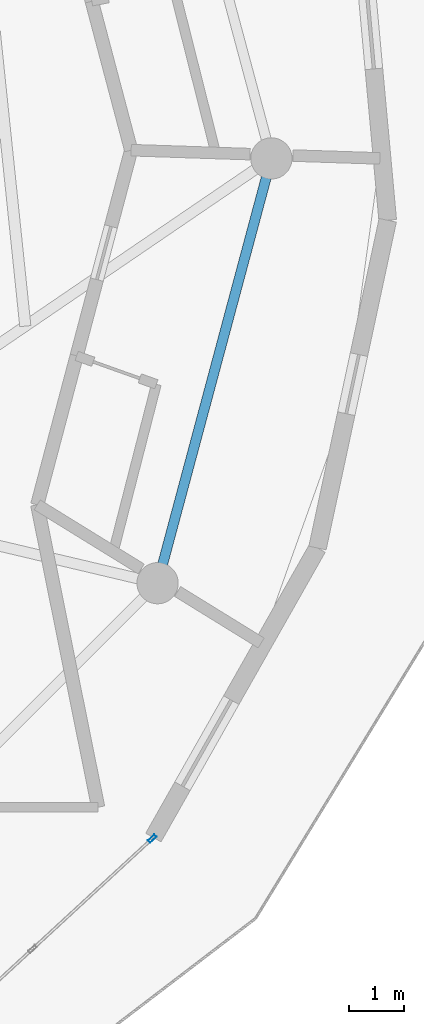
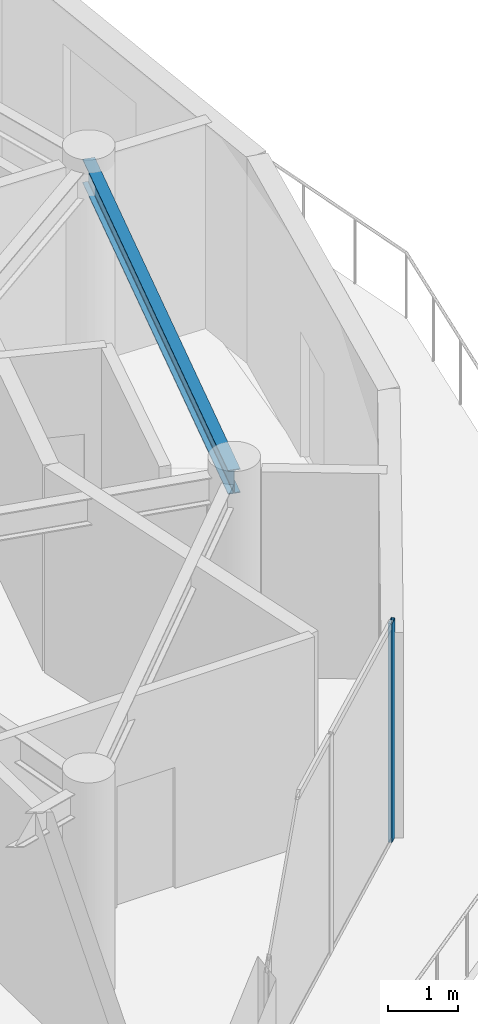
# One storey, part 11 of 22: 1 beam, 1 member, 1 element without a shape of its own.
"""IFC4 building model written with IfcOpenShell, lengths in metres."""

from ifc_helpers import new_model, si_unit, direction, frame, origin, origin_2d, place, context, subcontext, project, spatial, hollow_rectangle, i_section, extrude, source, transform, mapped, material, layer, layer_set, material_profile, profile_set, type_object, element, aggregate, save


model = new_model("IFC4")

# Units and contexts
model_context = context("Model", 3, precision=1e-05, world=origin(), true_north=direction((0.0, 1.0)))
body_context = subcontext(model_context, "Body", "Model", "MODEL_VIEW")
ifc_project = project(units=[si_unit("LENGTHUNIT", "METRE"), si_unit("AREAUNIT", "SQUARE_METRE"), si_unit("VOLUMEUNIT", "CUBIC_METRE"), si_unit("PLANEANGLEUNIT", "RADIAN"), si_unit("MASSUNIT", "GRAM", prefix="KILO")], contexts=[model_context])

# Site, building, storey
site_placement = place(None, origin())
site = spatial("IfcSite", under=ifc_project, at=site_placement, CompositionType="ELEMENT")
building_placement = place(site_placement, origin())
building = spatial("IfcBuilding", under=site, at=building_placement, Name="Solvirekh Grand Hotel", CompositionType="ELEMENT")
storey_placement = place(building_placement, frame((0.0, 0.0, 289.60009765625)))
storey = spatial("IfcBuildingStorey", under=building, at=storey_placement, Name="L75", CompositionType="ELEMENT", Elevation=289.60009765625)

# Beam
ifc_material_1 = material(Name="Steel S355", Category="steel")
ifc_material_profile_1 = material_profile(ifc_material_1, i_section(OverallWidth=0.180908203125, OverallDepth=0.4169921875, WebThickness=0.010009765625, FlangeThickness=0.01611328125, FilletRadius=0.011962890625, at=origin_2d()), Name="W410X85")
ifc_profile_set_1 = profile_set([ifc_material_profile_1], Name="Steel S355")
beam_type = type_object("IfcBeamType", Name="Spandrel_Ring_W410", PredefinedType="SPANDREL", material=ifc_profile_set_1)
beam_placement = place(storey_placement, frame((13.3798828125, -7.72509765625, 3.36181640625), z_axis=(0.258834757072, 0.965921616143, 0.0), x_axis=(-0.965921616143, 0.258834757072, 0.0)))
element("IfcBeam", 1, at=beam_placement, inside=storey, type_object=beam_type, Name="L75 perimeter spandrel beam 12", PredefinedType="SPANDREL", context=body_context, shape_type="SweptSolid", body=[
    extrude(i_section(OverallWidth=0.180908203125, OverallDepth=0.4169921875, WebThickness=0.010009765625, FlangeThickness=0.01611328125, FilletRadius=0.011962890625, at=origin_2d()), origin(), (0.0, 0.0, 1.0), 7.99755859375),
])

# Curtain wall, member
ifc_material_2 = material(Name="Anodized Bronze Aluminium 6063-T6", Category="aluminium")
ifc_layer = layer(ifc_material_2, 0.159912109375)
ifc_layer_set = layer_set([ifc_layer], Name="Anodized Bronze Aluminium 6063-T6")
curtain_wall_type = type_object("IfcCurtainWallType", Name="CW_Sys4_HighZoneFlushBronzeCW", PredefinedType="NOTDEFINED", material=ifc_layer_set)
curtain_wall_placement = place(storey_placement, origin())
curtain_wall = element("IfcCurtainWall", 2, at=curtain_wall_placement, inside=storey, type_object=curtain_wall_type, Name="L75 unitised bronze-glass curtain wall CW-L75-C03", PredefinedType="NOTDEFINED")
ifc_material_profile_2 = material_profile(ifc_material_2, hollow_rectangle(XDim=0.06005859375, YDim=0.159912109375, WallThickness=0.0048828125, at=origin_2d()), Name="ALU RHS 160X60X5")
ifc_profile_set_2 = profile_set([ifc_material_profile_2], Name="Anodized Bronze Aluminium 6063-T6")
member_type = type_object("IfcMemberType", Name="CWMullion_Sys4", PredefinedType="MULLION", material=ifc_profile_set_2)
shared_shape = source(origin(), body_context, "Body", "SweptSolid", [
    extrude(hollow_rectangle(XDim=0.06005859375, YDim=0.159912109375, WallThickness=0.0048828125, at=origin_2d()), origin(), (0.0, 0.0, 1.0), 3.7998046875),
])
member_placement = place(storey_placement, frame((13.281982421875, -12.371337890625, 0.0), z_axis=(0.0, 0.0, 1.0), x_axis=(-0.678044115667, 0.73502120868, 0.0)))
member = element("IfcMember", 3, at=member_placement, type_object=member_type, Name="U04 mullion 3", PredefinedType="MULLION", context=body_context, shape_type="MappedRepresentation", body=[
    mapped(shared_shape, transform((0.0, 0.0, 0.0), x_axis=(1.0, 0.0, 0.0), y_axis=(0.0, 1.0, 0.0), z_axis=(0.0, 0.0, 1.0), scale=1.0)),
])
aggregate(curtain_wall, [member])

save(model, "model.ifc")
